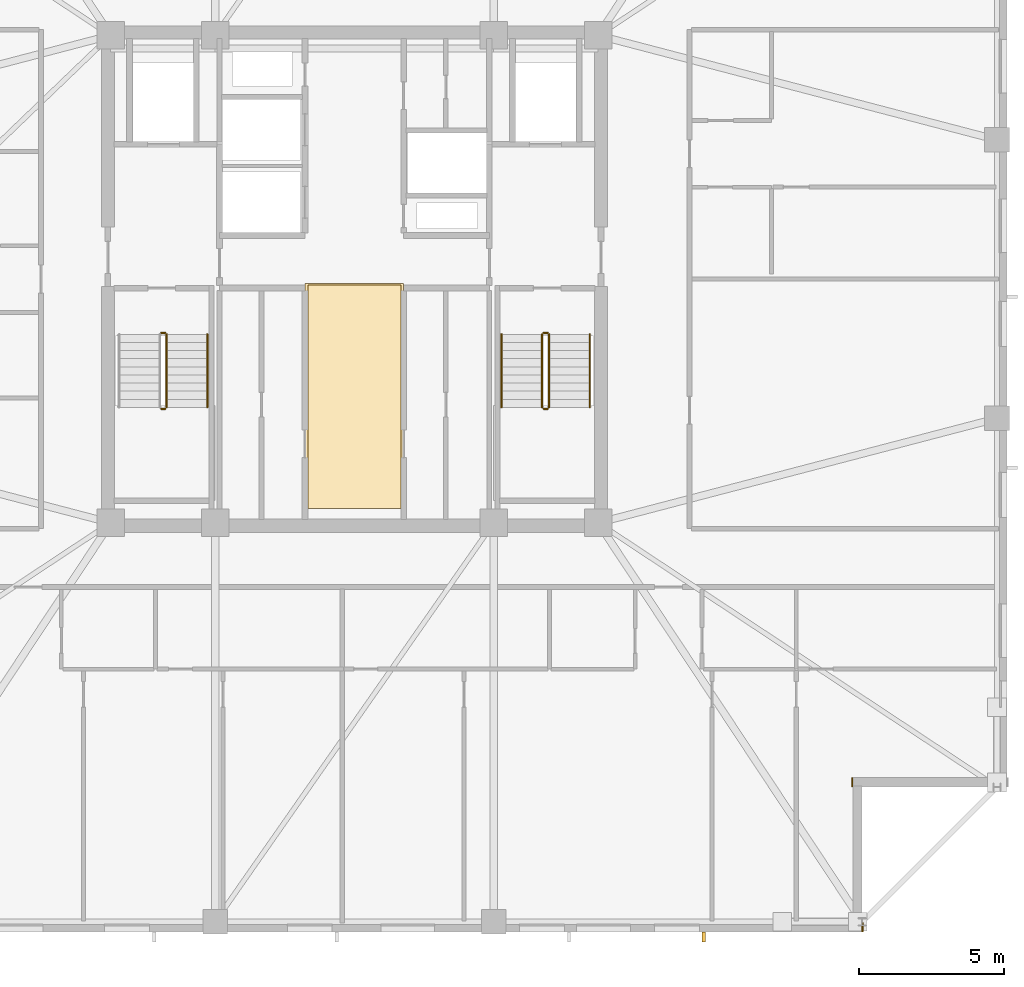
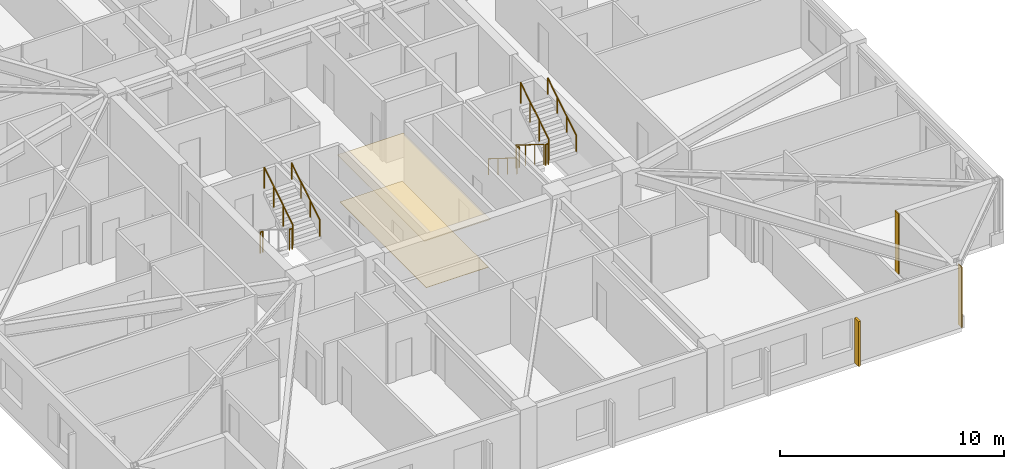
# One storey, part 14 of 17: 10 railings, 4 coverings, 1 shading device.
"""IFC4 building model written with IfcOpenShell, lengths in metres."""

from ifc_helpers import new_model, si_unit, direction, frame, frame_2d, origin, origin_2d, place, context, subcontext, project, spatial, polyline, rectangle, circle, outline, extrude, material, layer, layer_set, type_object, element, save


model = new_model("IFC4")

# Units and contexts
model_context = context("Model", 3, precision=1e-05, world=origin(), true_north=direction((0.0, 1.0)))
body_context = subcontext(model_context, "Body", "Model", "MODEL_VIEW")
ifc_project = project(units=[si_unit("LENGTHUNIT", "METRE"), si_unit("AREAUNIT", "SQUARE_METRE"), si_unit("VOLUMEUNIT", "CUBIC_METRE"), si_unit("PLANEANGLEUNIT", "RADIAN"), si_unit("MASSUNIT", "GRAM", prefix="KILO")], contexts=[model_context])

# Site, building, storey
site_placement = place(None, origin())
site = spatial("IfcSite", under=ifc_project, at=site_placement, CompositionType="ELEMENT")
building_placement = place(site_placement, origin())
building = spatial("IfcBuilding", under=site, at=building_placement, Name="Cairnveth Concourse Tower", CompositionType="ELEMENT")
storey_placement = place(building_placement, frame((0.0, 0.0, 227.0)))
storey = spatial("IfcBuildingStorey", under=building, at=storey_placement, Name="L62", CompositionType="ELEMENT", Elevation=227.0)

# Coverings
ifc_material_1 = material(Name="Acoustic Mineral Fibre Ceiling", Category="gypsum")
ifc_layer_1 = layer(ifc_material_1, 0.02490234375)
ifc_layer_set_1 = layer_set([ifc_layer_1], Name="Acoustic Mineral Fibre Ceiling")
covering_type_1 = type_object("IfcCoveringType", Name="ACOUSTIC MINERAL FIBRE CEILING 25", PredefinedType="CEILING", material=ifc_layer_set_1)
covering_1_placement = place(storey_placement, frame((0.0, 0.0, 2.55810546875)))
element("IfcCovering", 1, at=covering_1_placement, inside=storey, type_object=covering_type_1, Name="Lift Lobby Acoustic Ceiling L62", PredefinedType="CEILING", context=body_context, shape_type="SweptSolid", body=[
    extrude(outline(polyline([(50.300048828125, 31.10009765625), (53.699951171875, 31.10009765625), (53.699951171875, 38.85009765625), (50.300048828125, 38.85009765625), (50.300048828125, 31.10009765625)])), origin(), (0.0, 0.0, 1.0), 0.02490234375),
])
ifc_material_2 = material(Name="Dressed Melbourne Bluestone Cladding", Category="masonry")
ifc_layer_2 = layer(ifc_material_2, 0.050048828125)
ifc_layer_set_2 = layer_set([ifc_layer_2], Name="Dressed Melbourne Bluestone Cladding")
covering_type_2 = type_object("IfcCoveringType", Name="DRESSED BLUESTONE PLINTH CLADDING 50", PredefinedType="CLADDING", material=ifc_layer_set_2)
for number, where, z_axis, x_axis, name in (
    (2, (69.159912109375, 21.820068359375, 0.0), (0.0, 0.0, 1.0), (0.0, -1.0, 0.0), "Melbourne Bluestone Corner Quoin L62-935"),
    (3, (69.52001953125, 16.820068359375, 0.0), (0.0, 0.0, 1.0), (0.0, -1.0, 0.0), "Melbourne Bluestone Corner Quoin L62-936"),
):
    element("IfcCovering", number, at=place(storey_placement, frame(where, z_axis=z_axis, x_axis=x_axis)), inside=storey, type_object=covering_type_2, Name=name, PredefinedType="CLADDING", context=body_context, shape_type="SweptSolid", body=[
        extrude(rectangle(XDim=0.320068359375, YDim=0.050048828125, at=frame_2d((0.16015625, 0.0))), origin(), (0.0, 0.0, 1.0), 3.2900390625),
    ])

# Shading device
ifc_material_3 = material(Name="Architectural Bronze Anodised Aluminium 6063-T6", Category="aluminium")
shading_device_type = type_object("IfcShadingDeviceType", Name="GOTHIC BRONZE VERTICAL LANCET FIN", PredefinedType="USERDEFINED", material=ifc_material_3)
shading_device_placement = place(storey_placement, frame((64.04736328125, 16.324951171875, 0.030029296875), z_axis=(0.0, 0.0, 1.0), x_axis=(1.0, 0.0, 0.0)))
element("IfcShadingDevice", 4, at=shading_device_placement, inside=storey, type_object=shading_device_type, Name="Gothic Bronze Vertical Fin L62-9-1", ObjectType="VERTICAL FIN", PredefinedType="USERDEFINED", context=body_context, shape_type="SweptSolid", body=[
    extrude(rectangle(XDim=0.1201171875, YDim=0.360107421875, at=origin_2d()), origin(), (0.0, 0.0, 1.0), 2.43798828125),
])

# Railings
ifc_material_4 = material(Name="Steel Grade 350", Category="steel")
railing_type_1 = type_object("IfcRailingType", Name="STAIR GUARDRAIL 1150", PredefinedType="GUARDRAIL", material=ifc_material_4)
railing_1_placement = place(storey_placement, frame((45.340087890625, 34.530029296875, 1.75)))
element("IfcRailing", 5, at=railing_1_placement, inside=storey, type_object=railing_type_1, Name="L62 ST-1 stair guard 2", PredefinedType="GUARDRAIL", context=body_context, shape_type="SweptSolid", body=[
    extrude(circle(Radius=0.02392578125, at=origin_2d()), frame((0.0, 0.0, 1.1259765625), z_axis=(1.0, 0.0, 0.0), x_axis=(0.0, 1.0, 0.0)), (0.0, 0.0, 1.0), 0.139892578125),
    extrude(circle(Radius=0.02099609375, at=origin_2d()), origin(), (0.0, 0.0, 1.0), 1.101806640625),
    extrude(circle(Radius=0.02099609375, at=origin_2d()), frame((0.139892578125, 0.0, 0.0)), (0.0, 0.0, 1.0), 1.101806640625),
])
railing_2_placement = place(storey_placement, frame((45.530029296875, 34.580078125, 1.925048828125)))
element("IfcRailing", 6, at=railing_2_placement, inside=storey, type_object=railing_type_1, Name="L62 ST-1 stair guard 3", PredefinedType="GUARDRAIL", context=body_context, shape_type="SweptSolid", body=[
    extrude(circle(Radius=0.02392578125, at=origin_2d()), frame((0.0, 0.0, 1.1259765625), z_axis=(0.0, 0.848007534815, 0.529984170421), x_axis=(-1.0, 0.0, 0.0)), (0.0, 0.0, 1.0), 2.9716796875),
    extrude(circle(Radius=0.02099609375, at=origin_2d()), origin(), (0.0, 0.0, 1.0), 1.101806640625),
    extrude(circle(Radius=0.02099609375, at=origin_2d()), frame((0.0, 0.840087890625, 0.52490234375)), (0.0, 0.0, 1.0), 1.101806640625),
    extrude(circle(Radius=0.02099609375, at=origin_2d()), frame((0.0, 1.679931640625, 1.050048828125)), (0.0, 0.0, 1.0), 1.101806640625),
    extrude(circle(Radius=0.02099609375, at=origin_2d()), frame((0.0, 2.52001953125, 1.574951171875)), (0.0, 0.0, 1.0), 1.101806640625),
])
railing_3_placement = place(storey_placement, frame((45.340087890625, 37.14990234375, 0.0)))
element("IfcRailing", 7, at=railing_3_placement, inside=storey, type_object=railing_type_1, Name="L62 ST-1 stair guard 4", PredefinedType="GUARDRAIL", context=body_context, shape_type="SweptSolid", body=[
    extrude(circle(Radius=0.02392578125, at=origin_2d()), frame((0.0, 0.0, 1.1259765625), z_axis=(1.0, 0.0, 0.0), x_axis=(0.0, 1.0, 0.0)), (0.0, 0.0, 1.0), 0.139892578125),
    extrude(circle(Radius=0.02099609375, at=origin_2d()), origin(), (0.0, 0.0, 1.0), 1.101806640625),
    extrude(circle(Radius=0.02099609375, at=origin_2d()), frame((0.139892578125, 0.0, 0.0)), (0.0, 0.0, 1.0), 1.101806640625),
])
railing_4_placement = place(storey_placement, frame((58.469970703125, 37.10009765625, 0.175048828125)))
element("IfcRailing", 8, at=railing_4_placement, inside=storey, type_object=railing_type_1, Name="L62 ST-2 stair guard 1", PredefinedType="GUARDRAIL", context=body_context, shape_type="SweptSolid", body=[
    extrude(circle(Radius=0.02392578125, at=origin_2d()), frame((0.0, 0.0, 1.1259765625), z_axis=(0.0, -0.848007534815, 0.529984170421), x_axis=(1.0, 0.0, 0.0)), (0.0, 0.0, 1.0), 2.9716796875),
    extrude(circle(Radius=0.02099609375, at=origin_2d()), origin(), (0.0, 0.0, 1.0), 1.101806640625),
    extrude(circle(Radius=0.02099609375, at=origin_2d()), frame((0.0, -0.840087890625, 0.52490234375)), (0.0, 0.0, 1.0), 1.101806640625),
    extrude(circle(Radius=0.02099609375, at=origin_2d()), frame((0.0, -1.679931640625, 1.050048828125)), (0.0, 0.0, 1.0), 1.101806640625),
    extrude(circle(Radius=0.02099609375, at=origin_2d()), frame((0.0, -2.52001953125, 1.574951171875)), (0.0, 0.0, 1.0), 1.101806640625),
])
railing_5_placement = place(storey_placement, frame((58.52001953125, 34.530029296875, 1.75)))
element("IfcRailing", 9, at=railing_5_placement, inside=storey, type_object=railing_type_1, Name="L62 ST-2 stair guard 2", PredefinedType="GUARDRAIL", context=body_context, shape_type="SweptSolid", body=[
    extrude(circle(Radius=0.02392578125, at=origin_2d()), frame((0.0, 0.0, 1.1259765625), z_axis=(1.0, 0.0, 0.0), x_axis=(0.0, 1.0, 0.0)), (0.0, 0.0, 1.0), 0.139892578125),
    extrude(circle(Radius=0.02099609375, at=origin_2d()), origin(), (0.0, 0.0, 1.0), 1.101806640625),
    extrude(circle(Radius=0.02099609375, at=origin_2d()), frame((0.139892578125, 0.0, 0.0)), (0.0, 0.0, 1.0), 1.101806640625),
])
railing_6_placement = place(storey_placement, frame((58.7099609375, 34.580078125, 1.925048828125)))
element("IfcRailing", 10, at=railing_6_placement, inside=storey, type_object=railing_type_1, Name="L62 ST-2 stair guard 3", PredefinedType="GUARDRAIL", context=body_context, shape_type="SweptSolid", body=[
    extrude(circle(Radius=0.02392578125, at=origin_2d()), frame((0.0, 0.0, 1.1259765625), z_axis=(0.0, 0.848007534815, 0.529984170421), x_axis=(-1.0, 0.0, 0.0)), (0.0, 0.0, 1.0), 2.9716796875),
    extrude(circle(Radius=0.02099609375, at=origin_2d()), origin(), (0.0, 0.0, 1.0), 1.101806640625),
    extrude(circle(Radius=0.02099609375, at=origin_2d()), frame((0.0, 0.840087890625, 0.52490234375)), (0.0, 0.0, 1.0), 1.101806640625),
    extrude(circle(Radius=0.02099609375, at=origin_2d()), frame((0.0, 1.679931640625, 1.050048828125)), (0.0, 0.0, 1.0), 1.101806640625),
    extrude(circle(Radius=0.02099609375, at=origin_2d()), frame((0.0, 2.52001953125, 1.574951171875)), (0.0, 0.0, 1.0), 1.101806640625),
])
railing_7_placement = place(storey_placement, frame((58.52001953125, 37.14990234375, 0.0)))
element("IfcRailing", 11, at=railing_7_placement, inside=storey, type_object=railing_type_1, Name="L62 ST-2 stair guard 4", PredefinedType="GUARDRAIL", context=body_context, shape_type="SweptSolid", body=[
    extrude(circle(Radius=0.02392578125, at=origin_2d()), frame((0.0, 0.0, 1.1259765625), z_axis=(1.0, 0.0, 0.0), x_axis=(0.0, 1.0, 0.0)), (0.0, 0.0, 1.0), 0.139892578125),
    extrude(circle(Radius=0.02099609375, at=origin_2d()), origin(), (0.0, 0.0, 1.0), 1.101806640625),
    extrude(circle(Radius=0.02099609375, at=origin_2d()), frame((0.139892578125, 0.0, 0.0)), (0.0, 0.0, 1.0), 1.101806640625),
])
railing_type_2 = type_object("IfcRailingType", Name="STAIR WALL HANDRAIL 900", PredefinedType="HANDRAIL", material=ifc_material_4)
railing_8_placement = place(storey_placement, frame((46.929931640625, 34.580078125, 1.925048828125)))
element("IfcRailing", 12, at=railing_8_placement, inside=storey, type_object=railing_type_2, Name="L62 ST-1 stair handrail 2", PredefinedType="HANDRAIL", context=body_context, shape_type="SweptSolid", body=[
    extrude(circle(Radius=0.02392578125, at=origin_2d()), frame((0.0, 0.0, 0.8759765625), z_axis=(0.0, 0.848007534815, 0.529984170421), x_axis=(-1.0, 0.0, 0.0)), (0.0, 0.0, 1.0), 2.9716796875),
    extrude(circle(Radius=0.02099609375, at=origin_2d()), origin(), (0.0, 0.0, 1.0), 0.851806640625),
    extrude(circle(Radius=0.02099609375, at=origin_2d()), frame((0.0, 0.840087890625, 0.52490234375)), (0.0, 0.0, 1.0), 0.851806640625),
    extrude(circle(Radius=0.02099609375, at=origin_2d()), frame((0.0, 1.679931640625, 1.050048828125)), (0.0, 0.0, 1.0), 0.851806640625),
    extrude(circle(Radius=0.02099609375, at=origin_2d()), frame((0.0, 2.52001953125, 1.574951171875)), (0.0, 0.0, 1.0), 0.851806640625),
])
railing_9_placement = place(storey_placement, frame((57.070068359375, 37.10009765625, 0.175048828125)))
element("IfcRailing", 13, at=railing_9_placement, inside=storey, type_object=railing_type_2, Name="L62 ST-2 stair handrail 1", PredefinedType="HANDRAIL", context=body_context, shape_type="SweptSolid", body=[
    extrude(circle(Radius=0.02392578125, at=origin_2d()), frame((0.0, 0.0, 0.8759765625), z_axis=(0.0, -0.848007534815, 0.529984170421), x_axis=(1.0, 0.0, 0.0)), (0.0, 0.0, 1.0), 2.9716796875),
    extrude(circle(Radius=0.02099609375, at=origin_2d()), origin(), (0.0, 0.0, 1.0), 0.851806640625),
    extrude(circle(Radius=0.02099609375, at=origin_2d()), frame((0.0, -0.840087890625, 0.52490234375)), (0.0, 0.0, 1.0), 0.851806640625),
    extrude(circle(Radius=0.02099609375, at=origin_2d()), frame((0.0, -1.679931640625, 1.050048828125)), (0.0, 0.0, 1.0), 0.851806640625),
    extrude(circle(Radius=0.02099609375, at=origin_2d()), frame((0.0, -2.52001953125, 1.574951171875)), (0.0, 0.0, 1.0), 0.851806640625),
])
railing_10_placement = place(storey_placement, frame((60.110107421875, 34.580078125, 1.925048828125)))
element("IfcRailing", 14, at=railing_10_placement, inside=storey, type_object=railing_type_2, Name="L62 ST-2 stair handrail 2", PredefinedType="HANDRAIL", context=body_context, shape_type="SweptSolid", body=[
    extrude(circle(Radius=0.02392578125, at=origin_2d()), frame((0.0, 0.0, 0.8759765625), z_axis=(0.0, 0.848007534815, 0.529984170421), x_axis=(-1.0, 0.0, 0.0)), (0.0, 0.0, 1.0), 2.9716796875),
    extrude(circle(Radius=0.02099609375, at=origin_2d()), origin(), (0.0, 0.0, 1.0), 0.851806640625),
    extrude(circle(Radius=0.02099609375, at=origin_2d()), frame((0.0, 0.840087890625, 0.52490234375)), (0.0, 0.0, 1.0), 0.851806640625),
    extrude(circle(Radius=0.02099609375, at=origin_2d()), frame((0.0, 1.679931640625, 1.050048828125)), (0.0, 0.0, 1.0), 0.851806640625),
    extrude(circle(Radius=0.02099609375, at=origin_2d()), frame((0.0, 2.52001953125, 1.574951171875)), (0.0, 0.0, 1.0), 0.851806640625),
])

# Covering
ifc_material_5 = material(Name="Vitrified Stoneware Tile Flooring", Category="masonry")
ifc_layer_3 = layer(ifc_material_5, 0.02001953125)
ifc_layer_set_3 = layer_set([ifc_layer_3], Name="Vitrified Stoneware Tile Flooring")
covering_type_3 = type_object("IfcCoveringType", Name="VITRIFIED STONEWARE LOBBY FLOORING 20", PredefinedType="FLOORING", material=ifc_layer_set_3)
covering_2_placement = place(storey_placement, origin())
element("IfcCovering", 15, at=covering_2_placement, inside=storey, type_object=covering_type_3, Name="Lift Lobby Stoneware Flooring L62", PredefinedType="FLOORING", context=body_context, shape_type="SweptSolid", body=[
    extrude(outline(polyline([(50.39990234375, 31.10009765625), (53.60009765625, 31.10009765625), (53.60009765625, 38.800048828125), (50.39990234375, 38.800048828125), (50.39990234375, 31.10009765625)])), origin(), (0.0, 0.0, 1.0), 0.02001953125),
])

save(model, "model.ifc")
